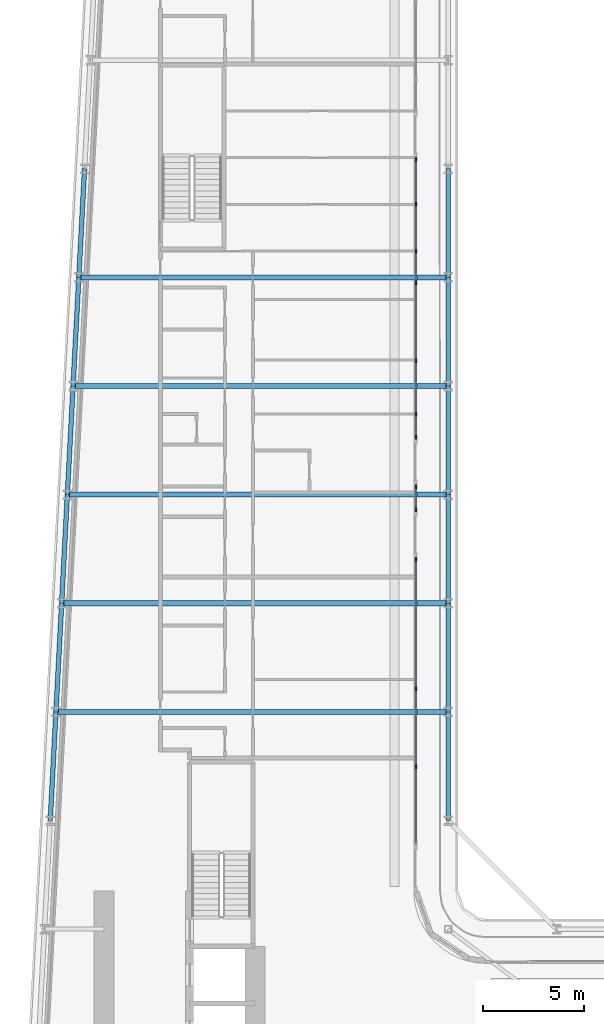
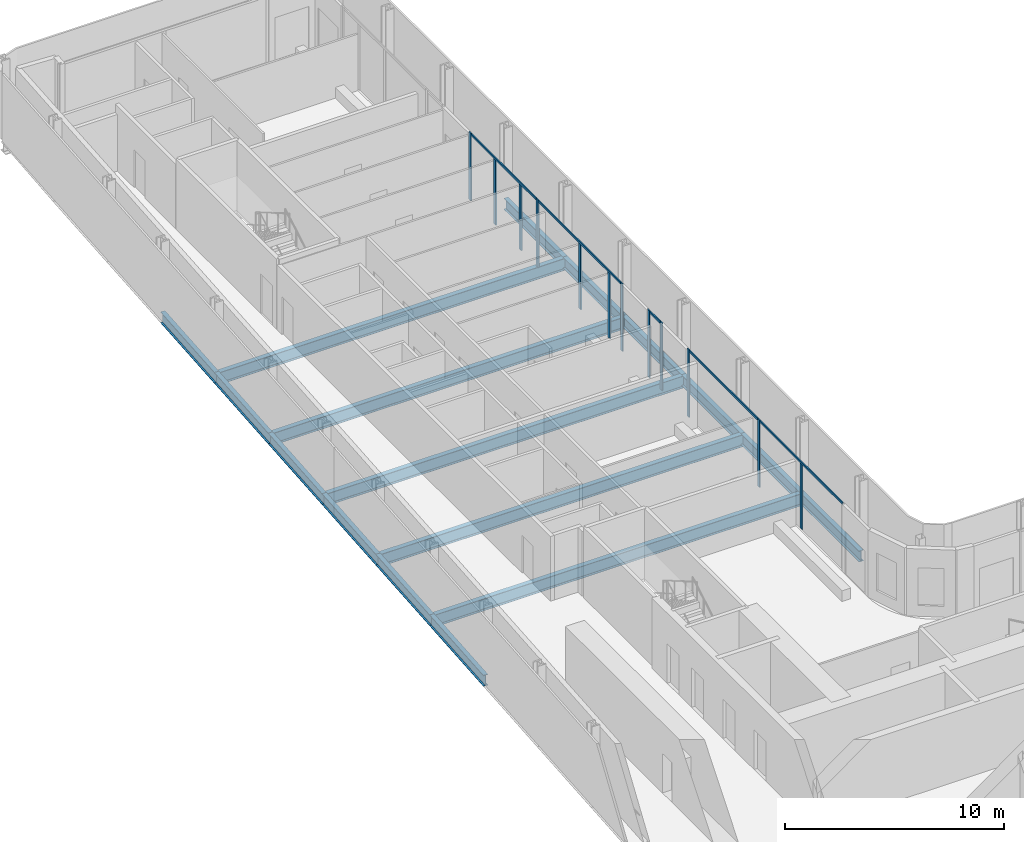
# One storey, part 7 of 27: 17 beams, 17 members, 5 elements without a shape of their own.
"""IFC4 building model written with IfcOpenShell, lengths in metres."""

from ifc_helpers import new_model, si_unit, direction, frame, origin, origin_2d, place, context, subcontext, project, spatial, rectangle, i_section, extrude, material, layer, layer_set, material_profile, profile_set, type_object, element, aggregate, save


model = new_model("IFC4")

# Units and contexts
model_context = context("Model", 3, precision=1e-05, world=origin(), true_north=direction((0.0, 1.0)))
body_context = subcontext(model_context, "Body", "Model", "MODEL_VIEW")
ifc_project = project(units=[si_unit("LENGTHUNIT", "METRE"), si_unit("AREAUNIT", "SQUARE_METRE"), si_unit("VOLUMEUNIT", "CUBIC_METRE"), si_unit("PLANEANGLEUNIT", "RADIAN"), si_unit("MASSUNIT", "GRAM", prefix="KILO")], contexts=[model_context])

# Site, building, storey
site_placement = place(None, origin())
site = spatial("IfcSite", under=ifc_project, at=site_placement, CompositionType="ELEMENT")
building_placement = place(site_placement, origin())
building = spatial("IfcBuilding", under=site, at=building_placement, Name="Kheshtan School and Residences Tower", CompositionType="ELEMENT")
storey_placement = place(building_placement, frame((0.0, 0.0, 46.10009765625)))
storey = spatial("IfcBuildingStorey", under=building, at=storey_placement, Name="L10", CompositionType="ELEMENT", Elevation=46.10009765625)

# Beams
ifc_material_1 = material(Name="Steel ASTM A992 Grade 50", Category="steel")
ifc_material_profile_1 = material_profile(ifc_material_1, i_section(OverallWidth=0.2529296875, OverallDepth=0.677978515625, WebThickness=0.01171875, FlangeThickness=0.016357421875, FilletRadius=0.0146484375, at=origin_2d()), Name="W690x125")
ifc_profile_set_1 = profile_set([ifc_material_profile_1], Name="Steel ASTM A992 Grade 50")
beam_type_1 = type_object("IfcBeamType", Name="Beam FB6 W690x125 ASTM A992 Grade 50", PredefinedType="BEAM", material=ifc_profile_set_1)
beam_1_placement = place(storey_placement, frame((47.60009765625, 72.60009765625, -0.489013671875), z_axis=(-1.0, 0.0, 0.0), x_axis=(0.0, -1.0, 0.0)))
element("IfcBeam", 1, at=beam_1_placement, inside=storey, type_object=beam_type_1, Name="Floor beam C087", PredefinedType="BEAM", context=body_context, shape_type="SweptSolid", body=[
    extrude(i_section(OverallWidth=0.2529296875, OverallDepth=0.677978515625, WebThickness=0.01171875, FlangeThickness=0.016357421875, FilletRadius=0.0146484375, at=origin_2d()), origin(), (0.0, 0.0, 1.0), 18.64208984375),
])
beam_2_placement = place(storey_placement, frame((47.60009765625, 61.800048828125, -0.489013671875), z_axis=(-1.0, 0.0, 0.0), x_axis=(0.0, -1.0, 0.0)))
element("IfcBeam", 2, at=beam_2_placement, inside=storey, type_object=beam_type_1, Name="Floor beam C083", PredefinedType="BEAM", context=body_context, shape_type="SweptSolid", body=[
    extrude(i_section(OverallWidth=0.2529296875, OverallDepth=0.677978515625, WebThickness=0.01171875, FlangeThickness=0.016357421875, FilletRadius=0.0146484375, at=origin_2d()), origin(), (0.0, 0.0, 1.0), 19.210205078125),
])
beam_3_placement = place(storey_placement, frame((28.10595703125, 56.39990234375, -0.489013671875), z_axis=(1.0, 0.0, 0.0), x_axis=(0.0, 1.0, 0.0)))
element("IfcBeam", 3, at=beam_3_placement, inside=storey, type_object=beam_type_1, Name="Floor beam C080", PredefinedType="BEAM", context=body_context, shape_type="SweptSolid", body=[
    extrude(i_section(OverallWidth=0.2529296875, OverallDepth=0.677978515625, WebThickness=0.01171875, FlangeThickness=0.016357421875, FilletRadius=0.0146484375, at=origin_2d()), origin(), (0.0, 0.0, 1.0), 19.494140625),
])
beam_4_placement = place(storey_placement, frame((28.674072265625, 67.199951171875, -0.489013671875), z_axis=(1.0, 0.0, 0.0), x_axis=(0.0, 1.0, 0.0)))
element("IfcBeam", 4, at=beam_4_placement, inside=storey, type_object=beam_type_1, Name="Floor beam C084", PredefinedType="BEAM", context=body_context, shape_type="SweptSolid", body=[
    extrude(i_section(OverallWidth=0.2529296875, OverallDepth=0.677978515625, WebThickness=0.01171875, FlangeThickness=0.016357421875, FilletRadius=0.0146484375, at=origin_2d()), origin(), (0.0, 0.0, 1.0), 18.926025390625),
])
beam_5_placement = place(storey_placement, frame((29.242919921875, 78.0, -0.489013671875), z_axis=(1.0, 0.0, 0.0), x_axis=(0.0, 1.0, 0.0)))
element("IfcBeam", 5, at=beam_5_placement, inside=storey, type_object=beam_type_1, Name="Floor beam C088", PredefinedType="BEAM", context=body_context, shape_type="SweptSolid", body=[
    extrude(i_section(OverallWidth=0.2529296875, OverallDepth=0.677978515625, WebThickness=0.01171875, FlangeThickness=0.016357421875, FilletRadius=0.0146484375, at=origin_2d()), origin(), (0.0, 0.0, 1.0), 18.357177734375),
])
ifc_material_profile_2 = material_profile(ifc_material_1, i_section(OverallWidth=0.22998046875, OverallDepth=0.616943359375, WebThickness=0.01318359375, FlangeThickness=0.022216796875, FilletRadius=0.0185546875, at=origin_2d()), Name="W610x140")
ifc_profile_set_2 = profile_set([ifc_material_profile_2], Name="Steel ASTM A992 Grade 50")
beam_type_2 = type_object("IfcBeamType", Name="Beam SP1 W610x140 ASTM A992 Grade 50", PredefinedType="BEAM", material=ifc_profile_set_2)
for number, where, z_axis, x_axis, name in (
    (6, (47.60009765625, 83.39990234375, -0.45849609375), (0.0, -1.0, 0.0), (1.0, 0.0, 0.0), "Spandrel beam C091-C089"),
    (7, (47.60009765625, 78.0, -0.45849609375), (0.0, -1.0, 0.0), (1.0, 0.0, 0.0), "Spandrel beam C089-C087"),
):
    element("IfcBeam", number, at=place(storey_placement, frame(where, z_axis=z_axis, x_axis=x_axis)), inside=storey, type_object=beam_type_2, Name=name, PredefinedType="BEAM", context=body_context, shape_type="SweptSolid", body=[
        extrude(i_section(OverallWidth=0.22998046875, OverallDepth=0.616943359375, WebThickness=0.01318359375, FlangeThickness=0.022216796875, FilletRadius=0.0185546875, at=origin_2d()), origin(), (0.0, 0.0, 1.0), 5.39990234375),
    ])
beam_6_placement = place(storey_placement, frame((47.60009765625, 72.60009765625, -0.45849609375), z_axis=(0.0, -1.0, 0.0), x_axis=(1.0, 0.0, 0.0)))
element("IfcBeam", 8, at=beam_6_placement, inside=storey, type_object=beam_type_2, Name="Spandrel beam C087-C085", PredefinedType="BEAM", context=body_context, shape_type="SweptSolid", body=[
    extrude(i_section(OverallWidth=0.22998046875, OverallDepth=0.616943359375, WebThickness=0.01318359375, FlangeThickness=0.022216796875, FilletRadius=0.0185546875, at=origin_2d()), origin(), (0.0, 0.0, 1.0), 5.400146484375),
])
beam_7_placement = place(storey_placement, frame((47.60009765625, 67.199951171875, -0.45849609375), z_axis=(0.0, -1.0, 0.0), x_axis=(1.0, 0.0, 0.0)))
element("IfcBeam", 9, at=beam_7_placement, inside=storey, type_object=beam_type_2, Name="Spandrel beam C085-C083", PredefinedType="BEAM", context=body_context, shape_type="SweptSolid", body=[
    extrude(i_section(OverallWidth=0.22998046875, OverallDepth=0.616943359375, WebThickness=0.01318359375, FlangeThickness=0.022216796875, FilletRadius=0.0185546875, at=origin_2d()), origin(), (0.0, 0.0, 1.0), 5.39990234375),
])
beam_8_placement = place(storey_placement, frame((47.60009765625, 61.800048828125, -0.45849609375), z_axis=(0.0, -1.0, 0.0), x_axis=(1.0, 0.0, 0.0)))
element("IfcBeam", 10, at=beam_8_placement, inside=storey, type_object=beam_type_2, Name="Spandrel beam C083-C081", PredefinedType="BEAM", context=body_context, shape_type="SweptSolid", body=[
    extrude(i_section(OverallWidth=0.22998046875, OverallDepth=0.616943359375, WebThickness=0.01318359375, FlangeThickness=0.022216796875, FilletRadius=0.0185546875, at=origin_2d()), origin(), (0.0, 0.0, 1.0), 5.400146484375),
])
beam_9_placement = place(storey_placement, frame((47.60009765625, 56.39990234375, -0.45849609375), z_axis=(0.0, -1.0, 0.0), x_axis=(1.0, 0.0, 0.0)))
element("IfcBeam", 11, at=beam_9_placement, inside=storey, type_object=beam_type_2, Name="Spandrel beam C081-C079", PredefinedType="BEAM", context=body_context, shape_type="SweptSolid", body=[
    extrude(i_section(OverallWidth=0.22998046875, OverallDepth=0.616943359375, WebThickness=0.01318359375, FlangeThickness=0.022216796875, FilletRadius=0.0185546875, at=origin_2d()), origin(), (0.0, 0.0, 1.0), 5.39990234375),
])
beam_10_placement = place(storey_placement, frame((27.822021484375, 51.0, -0.45849609375), z_axis=(0.05250906864, 0.998620447272, 0.0), x_axis=(-0.998620447272, 0.05250906864, 0.0)))
element("IfcBeam", 12, at=beam_10_placement, inside=storey, type_object=beam_type_2, Name="Spandrel beam C078-C080", PredefinedType="BEAM", context=body_context, shape_type="SweptSolid", body=[
    extrude(i_section(OverallWidth=0.22998046875, OverallDepth=0.616943359375, WebThickness=0.01318359375, FlangeThickness=0.022216796875, FilletRadius=0.0185546875, at=origin_2d()), origin(), (0.0, 0.0, 1.0), 5.407470703125),
])
beam_11_placement = place(storey_placement, frame((28.10595703125, 56.39990234375, -0.45849609375), z_axis=(0.05250670125, 0.998620571751, 0.0), x_axis=(-0.998620571751, 0.05250670125, 0.0)))
element("IfcBeam", 13, at=beam_11_placement, inside=storey, type_object=beam_type_2, Name="Spandrel beam C080-C082", PredefinedType="BEAM", context=body_context, shape_type="SweptSolid", body=[
    extrude(i_section(OverallWidth=0.22998046875, OverallDepth=0.616943359375, WebThickness=0.01318359375, FlangeThickness=0.022216796875, FilletRadius=0.0185546875, at=origin_2d()), origin(), (0.0, 0.0, 1.0), 5.40771484375),
])
beam_12_placement = place(storey_placement, frame((28.389892578125, 61.800048828125, -0.45849609375), z_axis=(0.052554093665, 0.998618078766, 0.0), x_axis=(-0.998618078766, 0.052554093665, 0.0)))
element("IfcBeam", 14, at=beam_12_placement, inside=storey, type_object=beam_type_2, Name="Spandrel beam C082-C084", PredefinedType="BEAM", context=body_context, shape_type="SweptSolid", body=[
    extrude(i_section(OverallWidth=0.22998046875, OverallDepth=0.616943359375, WebThickness=0.01318359375, FlangeThickness=0.022216796875, FilletRadius=0.0185546875, at=origin_2d()), origin(), (0.0, 0.0, 1.0), 5.407470703125),
])
beam_13_placement = place(storey_placement, frame((28.674072265625, 67.199951171875, -0.45849609375), z_axis=(0.05250670125, 0.998620571751, 0.0), x_axis=(-0.998620571751, 0.05250670125, 0.0)))
element("IfcBeam", 15, at=beam_13_placement, inside=storey, type_object=beam_type_2, Name="Spandrel beam C084-C086", PredefinedType="BEAM", context=body_context, shape_type="SweptSolid", body=[
    extrude(i_section(OverallWidth=0.22998046875, OverallDepth=0.616943359375, WebThickness=0.01318359375, FlangeThickness=0.022216796875, FilletRadius=0.0185546875, at=origin_2d()), origin(), (0.0, 0.0, 1.0), 5.40771484375),
])
for number, where, z_axis, x_axis, name in (
    (16, (28.9580078125, 72.60009765625, -0.45849609375), (0.052689166816, 0.998610961136, 0.0), (-0.998610961136, 0.052689166816, 0.0), "Spandrel beam C086-C088"),
    (17, (29.242919921875, 78.0, -0.45849609375), (0.052554093665, 0.998618078766, 0.0), (-0.998618078766, 0.052554093665, 0.0), "Spandrel beam C088-C090"),
):
    element("IfcBeam", number, at=place(storey_placement, frame(where, z_axis=z_axis, x_axis=x_axis)), inside=storey, type_object=beam_type_2, Name=name, PredefinedType="BEAM", context=body_context, shape_type="SweptSolid", body=[
        extrude(i_section(OverallWidth=0.22998046875, OverallDepth=0.616943359375, WebThickness=0.01318359375, FlangeThickness=0.022216796875, FilletRadius=0.0185546875, at=origin_2d()), origin(), (0.0, 0.0, 1.0), 5.407470703125),
    ])

# Curtain wall, members
ifc_material_2 = material(Name="Clear low-e glass in thermally broken aluminium frame", Category="aluminium")
ifc_layer = layer(ifc_material_2, 0.199951171875)
ifc_layer_set = layer_set([ifc_layer], Name="Curtain wall CW-L")
curtain_wall_type = type_object("IfcCurtainWallType", Name="Curtain wall CW-L", PredefinedType="NOTDEFINED", material=ifc_layer_set)
curtain_wall_1_placement = place(storey_placement, origin())
curtain_wall_1 = element("IfcCurtainWall", 18, at=curtain_wall_1_placement, inside=storey, type_object=curtain_wall_type, Name="Curtain wall CWL8b", PredefinedType="NOTDEFINED")
ifc_material_3 = material(Name="Thermally broken aluminium, dark bronze anodised", Category="aluminium")
ifc_material_profile_3 = material_profile(ifc_material_3, rectangle(XDim=0.06005859375, YDim=0.199951171875, at=origin_2d()), Name="CW-L mullion 60x200")
ifc_profile_set_3 = profile_set([ifc_material_profile_3], Name="Thermally broken aluminium, dark bronze anodised")
member_type_1 = type_object("IfcMemberType", Name="CW-L mullion 60x200", PredefinedType="MULLION", material=ifc_profile_set_3)
member_1_placement = place(storey_placement, frame((46.0, 83.8759765625, 0.0), z_axis=(0.0, 0.0, 1.0), x_axis=(1.0, 0.0, 0.0)))
member_1 = element("IfcMember", 19, at=member_1_placement, type_object=member_type_1, Name="CWL8b mullion 1", PredefinedType="MULLION", context=body_context, shape_type="SweptSolid", body=[
    extrude(rectangle(XDim=0.06005859375, YDim=0.199951171875, at=origin_2d()), origin(), (0.0, 0.0, 1.0), 3.75),
])
member_2_placement = place(storey_placement, frame((46.0, 81.625, 0.0), z_axis=(0.0, 0.0, 1.0), x_axis=(1.0, 0.0, 0.0)))
member_2 = element("IfcMember", 20, at=member_2_placement, type_object=member_type_1, Name="CWL8b mullion 2", PredefinedType="MULLION", context=body_context, shape_type="SweptSolid", body=[
    extrude(rectangle(XDim=0.06005859375, YDim=0.199951171875, at=origin_2d()), origin(), (0.0, 0.0, 1.0), 3.6298828125),
])
member_3_placement = place(storey_placement, frame((46.0, 79.300048828125, 0.0), z_axis=(0.0, 0.0, 1.0), x_axis=(1.0, 0.0, 0.0)))
member_3 = element("IfcMember", 21, at=member_3_placement, type_object=member_type_1, Name="CWL8b mullion 3", PredefinedType="MULLION", context=body_context, shape_type="SweptSolid", body=[
    extrude(rectangle(XDim=0.06005859375, YDim=0.199951171875, at=origin_2d()), origin(), (0.0, 0.0, 1.0), 3.6298828125),
])
member_4_placement = place(storey_placement, frame((46.0, 77.741943359375, 0.0), z_axis=(0.0, 0.0, 1.0), x_axis=(1.0, 0.0, 0.0)))
member_4 = element("IfcMember", 22, at=member_4_placement, type_object=member_type_1, Name="CWL8b mullion 4", PredefinedType="MULLION", context=body_context, shape_type="SweptSolid", body=[
    extrude(rectangle(XDim=0.06005859375, YDim=0.199951171875, at=origin_2d()), origin(), (0.0, 0.0, 1.0), 3.75),
])

curtain_wall_2_placement = place(storey_placement, origin())
curtain_wall_2 = element("IfcCurtainWall", 23, at=curtain_wall_2_placement, inside=storey, type_object=curtain_wall_type, Name="Curtain wall CWL8c", PredefinedType="NOTDEFINED")
member_5_placement = place(storey_placement, frame((46.0, 73.864990234375, 0.0), z_axis=(0.0, 0.0, 1.0), x_axis=(1.0, 0.0, 0.0)))
member_5 = element("IfcMember", 24, at=member_5_placement, type_object=member_type_1, Name="CWL8c mullion 2", PredefinedType="MULLION", context=body_context, shape_type="SweptSolid", body=[
    extrude(rectangle(XDim=0.06005859375, YDim=0.199951171875, at=origin_2d()), origin(), (0.0, 0.0, 1.0), 3.6298828125),
])
member_6_placement = place(storey_placement, frame((46.0, 71.199951171875, 0.0), z_axis=(0.0, 0.0, 1.0), x_axis=(1.0, 0.0, 0.0)))
member_6 = element("IfcMember", 25, at=member_6_placement, type_object=member_type_1, Name="CWL8c mullion 3", PredefinedType="MULLION", context=body_context, shape_type="SweptSolid", body=[
    extrude(rectangle(XDim=0.06005859375, YDim=0.199951171875, at=origin_2d()), origin(), (0.0, 0.0, 1.0), 3.6298828125),
])
member_7_placement = place(storey_placement, frame((46.0, 70.048095703125, 0.0), z_axis=(0.0, 0.0, 1.0), x_axis=(1.0, 0.0, 0.0)))
member_7 = element("IfcMember", 26, at=member_7_placement, type_object=member_type_1, Name="CWL8c mullion 4", PredefinedType="MULLION", context=body_context, shape_type="SweptSolid", body=[
    extrude(rectangle(XDim=0.06005859375, YDim=0.199951171875, at=origin_2d()), origin(), (0.0, 0.0, 1.0), 3.75),
])

curtain_wall_3_placement = place(storey_placement, origin())
curtain_wall_3 = element("IfcCurtainWall", 27, at=curtain_wall_3_placement, inside=storey, type_object=curtain_wall_type, Name="Curtain wall CWL8g", PredefinedType="NOTDEFINED")
member_8_placement = place(storey_placement, frame((46.0, 67.587890625, 0.0), z_axis=(0.0, 0.0, 1.0), x_axis=(1.0, 0.0, 0.0)))
member_8 = element("IfcMember", 28, at=member_8_placement, type_object=member_type_1, Name="CWL8g mullion 1", PredefinedType="MULLION", context=body_context, shape_type="SweptSolid", body=[
    extrude(rectangle(XDim=0.06005859375, YDim=0.199951171875, at=origin_2d()), origin(), (0.0, 0.0, 1.0), 3.75),
])
member_9_placement = place(storey_placement, frame((46.0, 66.447998046875, 0.0), z_axis=(0.0, 0.0, 1.0), x_axis=(1.0, 0.0, 0.0)))
member_9 = element("IfcMember", 29, at=member_9_placement, type_object=member_type_1, Name="CWL8g mullion 2", PredefinedType="MULLION", context=body_context, shape_type="SweptSolid", body=[
    extrude(rectangle(XDim=0.06005859375, YDim=0.199951171875, at=origin_2d()), origin(), (0.0, 0.0, 1.0), 3.75),
])

curtain_wall_4_placement = place(storey_placement, origin())
curtain_wall_4 = element("IfcCurtainWall", 30, at=curtain_wall_4_placement, inside=storey, type_object=curtain_wall_type, Name="Curtain wall CWL8h", PredefinedType="NOTDEFINED")
member_10_placement = place(storey_placement, frame((46.0, 63.988037109375, 0.0), z_axis=(0.0, 0.0, 1.0), x_axis=(1.0, 0.0, 0.0)))
member_10 = element("IfcMember", 31, at=member_10_placement, type_object=member_type_1, Name="CWL8h mullion 1", PredefinedType="MULLION", context=body_context, shape_type="SweptSolid", body=[
    extrude(rectangle(XDim=0.06005859375, YDim=0.199951171875, at=origin_2d()), origin(), (0.0, 0.0, 1.0), 3.75),
])
member_11_placement = place(storey_placement, frame((46.0, 57.553955078125, 0.0), z_axis=(0.0, 0.0, 1.0), x_axis=(1.0, 0.0, 0.0)))
member_11 = element("IfcMember", 32, at=member_11_placement, type_object=member_type_1, Name="CWL8h mullion 2", PredefinedType="MULLION", context=body_context, shape_type="SweptSolid", body=[
    extrude(rectangle(XDim=0.06005859375, YDim=0.199951171875, at=origin_2d()), origin(), (0.0, 0.0, 1.0), 3.75),
])

# Curtain wall, member
curtain_wall_5_placement = place(storey_placement, origin())
curtain_wall_5 = element("IfcCurtainWall", 33, at=curtain_wall_5_placement, inside=storey, type_object=curtain_wall_type, Name="Curtain wall CWL8", PredefinedType="NOTDEFINED")
member_12_placement = place(storey_placement, frame((46.0, 53.677001953125, 0.0), z_axis=(0.0, 0.0, 1.0), x_axis=(1.0, 0.0, 0.0)))
member_12 = element("IfcMember", 34, at=member_12_placement, type_object=member_type_1, Name="CWL8 mullion 2", PredefinedType="MULLION", context=body_context, shape_type="SweptSolid", body=[
    extrude(rectangle(XDim=0.06005859375, YDim=0.199951171875, at=origin_2d()), origin(), (0.0, 0.0, 1.0), 3.6298828125),
])

# Member
ifc_material_profile_4 = material_profile(ifc_material_3, rectangle(XDim=0.06005859375, YDim=0.1201171875, at=origin_2d()), Name="CW-L transom 60x120")
ifc_profile_set_4 = profile_set([ifc_material_profile_4], Name="Thermally broken aluminium, dark bronze anodised")
member_type_2 = type_object("IfcMemberType", Name="CW-L transom 60x120", PredefinedType="USERDEFINED", material=ifc_profile_set_4)
member_13_placement = place(storey_placement, frame((46.0, 83.845947265625, 3.68994140625), z_axis=(0.0, -1.0, 0.0), x_axis=(1.0, 0.0, 0.0)))
member_13 = element("IfcMember", 35, at=member_13_placement, type_object=member_type_2, Name="CWL8b transom 1", ObjectType="TRANSOM", PredefinedType="USERDEFINED", context=body_context, shape_type="SweptSolid", body=[
    extrude(rectangle(XDim=0.06005859375, YDim=0.1201171875, at=origin_2d()), origin(), (0.0, 0.0, 1.0), 6.073974609375),
])

aggregate(curtain_wall_1, [member_1, member_2, member_3, member_4, member_13])

member_14_placement = place(storey_placement, frame((46.0, 77.7119140625, 3.68994140625), z_axis=(0.0, -1.0, 0.0), x_axis=(1.0, 0.0, 0.0)))
member_14 = element("IfcMember", 36, at=member_14_placement, type_object=member_type_2, Name="CWL8c transom 1", ObjectType="TRANSOM", PredefinedType="USERDEFINED", context=body_context, shape_type="SweptSolid", body=[
    extrude(rectangle(XDim=0.06005859375, YDim=0.1201171875, at=origin_2d()), origin(), (0.0, 0.0, 1.0), 7.634033203125),
])

aggregate(curtain_wall_2, [member_5, member_6, member_7, member_14])

member_15_placement = place(storey_placement, frame((46.0, 67.55810546875, 3.68994140625), z_axis=(0.0, -1.0, 0.0), x_axis=(1.0, 0.0, 0.0)))
member_15 = element("IfcMember", 37, at=member_15_placement, type_object=member_type_2, Name="CWL8g transom 1", ObjectType="TRANSOM", PredefinedType="USERDEFINED", context=body_context, shape_type="SweptSolid", body=[
    extrude(rectangle(XDim=0.06005859375, YDim=0.1201171875, at=origin_2d()), origin(), (0.0, 0.0, 1.0), 1.080078125),
])

aggregate(curtain_wall_3, [member_8, member_9, member_15])

member_16_placement = place(storey_placement, frame((46.0, 63.9580078125, 3.68994140625), z_axis=(0.0, -1.0, 0.0), x_axis=(1.0, 0.0, 0.0)))
member_16 = element("IfcMember", 38, at=member_16_placement, type_object=member_type_2, Name="CWL8h transom 1", ObjectType="TRANSOM", PredefinedType="USERDEFINED", context=body_context, shape_type="SweptSolid", body=[
    extrude(rectangle(XDim=0.06005859375, YDim=0.1201171875, at=origin_2d()), origin(), (0.0, 0.0, 1.0), 6.3740234375),
])

aggregate(curtain_wall_4, [member_10, member_11, member_16])

member_17_placement = place(storey_placement, frame((46.0, 57.52392578125, 3.68994140625), z_axis=(0.0, -1.0, 0.0), x_axis=(1.0, 0.0, 0.0)))
member_17 = element("IfcMember", 39, at=member_17_placement, type_object=member_type_2, Name="CWL8 transom 1", ObjectType="TRANSOM", PredefinedType="USERDEFINED", context=body_context, shape_type="SweptSolid", body=[
    extrude(rectangle(XDim=0.06005859375, YDim=0.1201171875, at=origin_2d()), origin(), (0.0, 0.0, 1.0), 7.634033203125),
])

aggregate(curtain_wall_5, [member_12, member_17])

save(model, "model.ifc")
